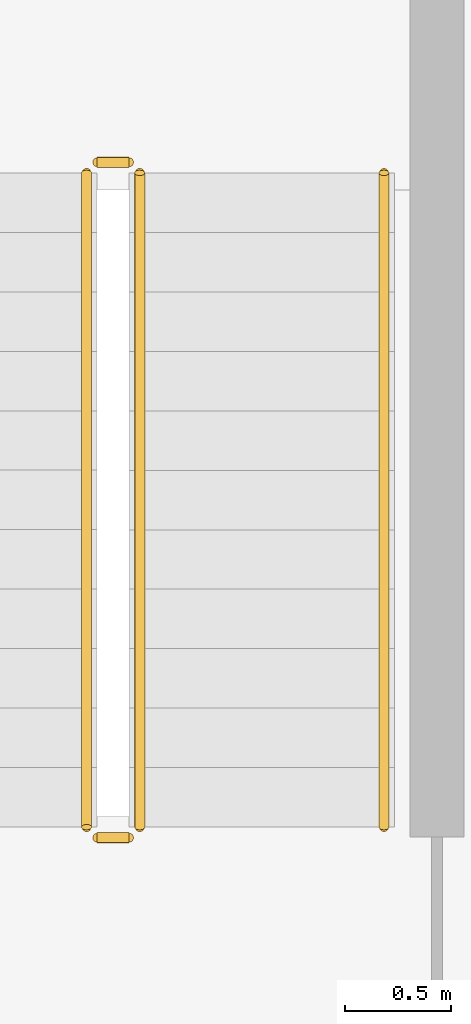
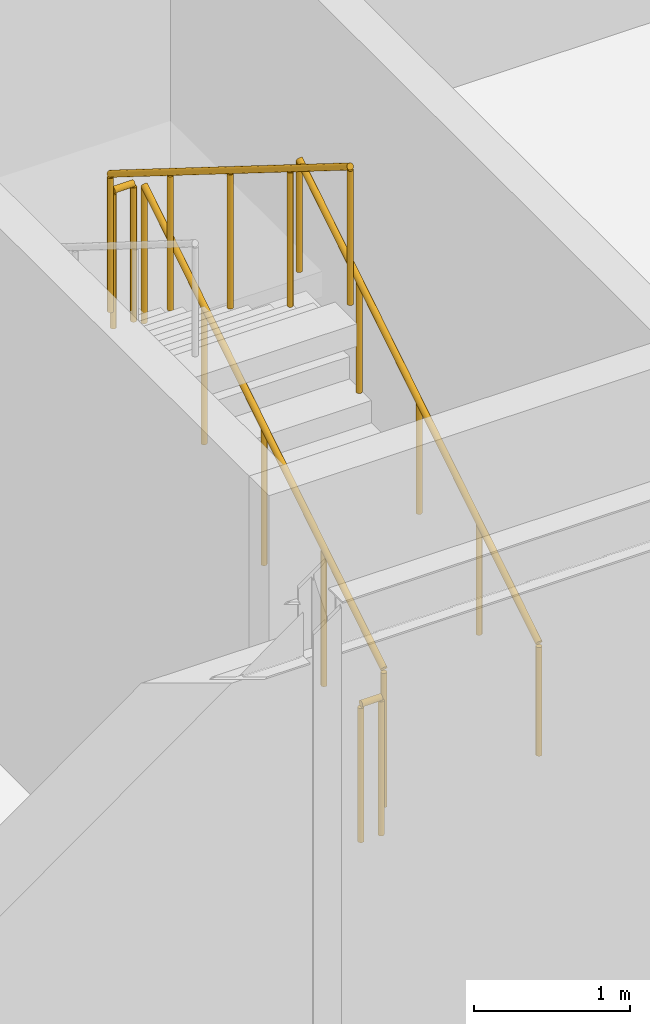
# One storey, part 77 of 85: 5 railings.
"""IFC4 building model written with IfcOpenShell, lengths in metres."""

import ifcopenshell
import ifcopenshell.guid

model = None  # the IFC model being written
_history = None  # IfcOwnerHistory: only IFC2X3 demands one
_inside = {}  # id of a spatial element -> (the spatial element, [elements in it])
_under = {}  # id of a project, library or spatial element -> (it, [spatial elements below it])
_declared = {}  # id of a project -> (the project, [libraries it declares])
_typed = {}  # id of a type object -> (the type object, [elements of that type])
_made_of = {}  # id of a material, layer set ... -> (it, [elements and type objects made of it])


def new_model(schema):
    """Start an empty IFC model of exactly this schema.

    Asked for "IFC4X3", IfcOpenShell would pick the latest addendum, in which some entities
    have other attributes; the version numbers below select the first issue.
    IFC2X3 requires an IfcOwnerHistory on every rooted entity: one is made here for all.
    """
    global model, _history
    if schema == "IFC4X3":
        model = ifcopenshell.file(schema_version=(4, 3, 0, 0))
    else:
        model = ifcopenshell.file(schema=schema)
    _inside.clear()
    _under.clear()
    _declared.clear()
    _typed.clear()
    _made_of.clear()
    _history = None
    if model.schema == "IFC2X3":
        org = make("IfcOrganization", Name="unknown")
        user = make(
            "IfcPersonAndOrganization",
            ThePerson=make("IfcPerson", FamilyName="unknown"),
            TheOrganization=org,
        )
        app = make(
            "IfcApplication",
            ApplicationDeveloper=org,
            Version="unknown",
            ApplicationFullName="unknown",
            ApplicationIdentifier="unknown",
        )
        _history = make(
            "IfcOwnerHistory",
            OwningUser=user,
            OwningApplication=app,
            ChangeAction="ADDED",
            CreationDate=0,
        )
    return model


def make(cls, **values):
    """One entity of the class cls with the attributes given. An attribute that is None is left unset."""
    return model.create_entity(
        cls, **{name: value for name, value in values.items() if value is not None}
    )


def rooted(cls, **values):
    """An entity with a GlobalId (a new one), such as an element, a storey or a relation."""
    return make(cls, GlobalId=ifcopenshell.guid.new(), OwnerHistory=_history, **values)


def si_unit(unit_type, name, prefix=None):
    """IfcSIUnit, for example si_unit("LENGTHUNIT", "METRE", prefix="MILLI")."""
    return make("IfcSIUnit", UnitType=unit_type, Prefix=prefix, Name=name)


def assignment(units):
    """IfcUnitAssignment: the units of a project."""
    return None if units is None else make("IfcUnitAssignment", Units=units)


def point(xyz):
    """IfcCartesianPoint."""
    return None if xyz is None else make("IfcCartesianPoint", Coordinates=xyz)


def direction(xyz):
    """IfcDirection."""
    return None if xyz is None else make("IfcDirection", DirectionRatios=xyz)


def frame(location, z_axis=None, x_axis=None):
    """IfcAxis2Placement3D, a coordinate frame: its origin and axes. An axis left out is left unset."""
    return make(
        "IfcAxis2Placement3D",
        Location=point(location),
        Axis=direction(z_axis),
        RefDirection=direction(x_axis),
    )


def frame_2d(location, x_axis=None):
    """IfcAxis2Placement2D, a coordinate frame in the plane: its origin and x axis."""
    return make(
        "IfcAxis2Placement2D", Location=point(location), RefDirection=direction(x_axis)
    )


def origin():
    """The frame at (0, 0, 0) with its axes left unset."""
    return frame((0.0, 0.0, 0.0))


def origin_2d():
    """The frame at (0, 0) in the plane with its x axis left unset."""
    return frame_2d((0.0, 0.0))


def place(relative_to, where):
    """IfcLocalPlacement: puts the frame where relative to a parent placement (None: the world)."""
    return make(
        "IfcLocalPlacement", PlacementRelTo=relative_to, RelativePlacement=where
    )


def context(
    kind, dimensions, precision=None, world=None, true_north=None, identifier=None
):
    """IfcGeometricRepresentationContext, for example the 3D "Model" context."""
    return make(
        "IfcGeometricRepresentationContext",
        ContextIdentifier=identifier,
        ContextType=kind,
        CoordinateSpaceDimension=dimensions,
        Precision=precision,
        WorldCoordinateSystem=world,
        TrueNorth=true_north,
    )


def subcontext(parent, identifier, kind, view, scale=None):
    """IfcGeometricRepresentationSubContext, for example "Body" below "Model"."""
    return make(
        "IfcGeometricRepresentationSubContext",
        ContextIdentifier=identifier,
        ContextType=kind,
        ParentContext=parent,
        TargetScale=scale,
        TargetView=view,
    )


def project(units=None, contexts=None):
    """IfcProject with its units and contexts."""
    return rooted(
        "IfcProject",
        Name="project",
        RepresentationContexts=contexts,
        UnitsInContext=assignment(units),
    )


def spatial(cls, under=None, at=None, **own):
    """A site, building, storey or space (cls), placed at a placement, below another one or the project."""
    s = rooted(cls, ObjectPlacement=at, **own)
    if under is not None:
        _under.setdefault(under.id(), (under, []))[1].append(s)
    return s


def profile(cls, at=None, kind="AREA", **sizes):
    """A parametric profile (cls). Its sizes go by their IFC names, for example OverallWidth=200.0."""
    return make(cls, ProfileType=kind, Position=at, **sizes)


def circle(**sizes):
    """IfcCircleProfileDef."""
    return profile("IfcCircleProfileDef", **sizes)


def extrude(swept, where, along, depth):
    """IfcExtrudedAreaSolid: the profile swept, set in the frame where, extruded along a direction by depth."""
    return make(
        "IfcExtrudedAreaSolid",
        SweptArea=swept,
        Position=where,
        ExtrudedDirection=direction(along),
        Depth=depth,
    )


def shape(context_of_items, identifier, shape_type, items):
    """IfcShapeRepresentation: the items that make up one representation, for example the "Body"."""
    return make(
        "IfcShapeRepresentation",
        ContextOfItems=context_of_items,
        RepresentationIdentifier=identifier,
        RepresentationType=shape_type,
        Items=items,
    )


def material(Name=None, Category=None):
    """IfcMaterial."""
    return make("IfcMaterial", Name=Name, Category=Category)


def made_of(thing, what):
    """Note that an element or type object is made of a material, layer set ...; save() writes the relation."""
    if what is not None:
        _made_of.setdefault(what.id(), (what, []))[1].append(thing)
    return thing


def type_object(cls, material=None, **own):
    """A type object (cls), such as IfcWallType, which elements share."""
    return made_of(rooted(cls, **own), material)


def element(
    cls,
    number,
    at=None,
    inside=None,
    cuts=None,
    type_object=None,
    material=None,
    context=None,
    identifier="Body",
    shape_type=None,
    held_by="IfcProductDefinitionShape",
    body=None,
    shapes=None,
    **own,
):
    """One element of the class cls, such as IfcWall. Its Tag is "e" and its number.

    at: its placement. inside: the storey or other place that contains it. cuts: it is an
    opening in that element (IfcRelVoidsElement). A single representation is given by context,
    identifier, shape_type and body (its items); several are given by shapes. held_by: the class
    of the entity that holds the representations. save() writes the other relations.
    """
    e = rooted(cls, Tag="e%d" % number, ObjectPlacement=at, **own)
    if body is not None:
        shapes = [shape(context, identifier, shape_type, body)]
    if shapes is not None:
        e.Representation = make(held_by, Representations=shapes)
    if inside is not None:
        _inside.setdefault(inside.id(), (inside, []))[1].append(e)
    if cuts is not None:
        rooted(
            "IfcRelVoidsElement", RelatingBuildingElement=cuts, RelatedOpeningElement=e
        )
    if type_object is not None:
        _typed.setdefault(type_object.id(), (type_object, []))[1].append(e)
    return made_of(e, material)


def aggregate(whole, parts):
    """IfcRelAggregates: a whole, such as a stair, and the parts it consists of."""
    return rooted("IfcRelAggregates", RelatingObject=whole, RelatedObjects=parts)


def save(model, path):
    """Write the relations noted so far, then the file.

    IfcRelAggregates (storeys below a building ...), IfcRelContainedInSpatialStructure (elements
    in a storey), IfcRelDefinesByType, IfcRelAssociatesMaterial and IfcRelDeclares: one each for
    every whole, place, type object, material and project.
    """
    for whole, parts in _under.values():
        aggregate(whole, parts)
    for where, things in _inside.values():
        rooted(
            "IfcRelContainedInSpatialStructure",
            RelatedElements=things,
            RelatingStructure=where,
        )
    for kind, things in _typed.values():
        rooted("IfcRelDefinesByType", RelatedObjects=things, RelatingType=kind)
    for what, things in _made_of.values():
        rooted("IfcRelAssociatesMaterial", RelatedObjects=things, RelatingMaterial=what)
    for by, libraries in _declared.values():
        rooted("IfcRelDeclares", RelatingContext=by, RelatedDefinitions=libraries)
    model.write(path)


model = new_model("IFC4")

# Units and contexts
model_context = context("Model", 3, precision=1e-05, world=origin(), true_north=direction((0.0, 1.0)))
body_context = subcontext(model_context, "Body", "Model", "MODEL_VIEW")
ifc_project = project(units=[si_unit("LENGTHUNIT", "METRE"), si_unit("AREAUNIT", "SQUARE_METRE"), si_unit("VOLUMEUNIT", "CUBIC_METRE"), si_unit("PLANEANGLEUNIT", "RADIAN"), si_unit("MASSUNIT", "GRAM", prefix="KILO")], contexts=[model_context])

# Site, building, storey
site_placement = place(None, origin())
site = spatial("IfcSite", under=ifc_project, at=site_placement, CompositionType="ELEMENT")
building_placement = place(site_placement, origin())
building = spatial("IfcBuilding", under=site, at=building_placement, Name="Ochrevale Crest", CompositionType="ELEMENT")
storey_placement = place(building_placement, frame((0.0, 0.0, 4.5)))
storey = spatial("IfcBuildingStorey", under=building, at=storey_placement, Name="L01", CompositionType="ELEMENT", Elevation=4.5)

# Railings
ifc_material_1 = material(Name="Galvanised steel", Category="steel")
railing_type_1 = type_object("IfcRailingType", Name="RL-ST-GUARD", PredefinedType="BALUSTRADE", material=ifc_material_1)
railing_1_placement = place(storey_placement, frame((81.050048828125, 81.574951171875, 0.175048828125)))
element("IfcRailing", 1, at=railing_1_placement, inside=storey, type_object=railing_type_1, Name="L01 ST-N1 stair guard 1", PredefinedType="BALUSTRADE", context=body_context, shape_type="SweptSolid", body=[
    extrude(circle(Radius=0.02392578125, at=origin_2d()), frame((0.0, 0.0, 1.076171875), z_axis=(0.0, 0.847998304005, 0.529998940003), x_axis=(-1.0, 0.0, 0.0)), (0.0, 0.0, 1.0), 3.632080078125),
    extrude(circle(Radius=0.02099609375, at=origin_2d()), origin(), (0.0, 0.0, 1.0), 1.052001953125),
    extrude(circle(Radius=0.02099609375, at=origin_2d()), frame((0.0, 0.77001953125, 0.481201171875)), (0.0, 0.0, 1.0), 1.052001953125),
    extrude(circle(Radius=0.02099609375, at=origin_2d()), frame((0.0, 1.5400390625, 0.96240234375)), (0.0, 0.0, 1.0), 1.052001953125),
    extrude(circle(Radius=0.02099609375, at=origin_2d()), frame((0.0, 2.31005859375, 1.44384765625)), (0.0, 0.0, 1.0), 1.052001953125),
    extrude(circle(Radius=0.02099609375, at=origin_2d()), frame((0.0, 3.080078125, 1.925048828125)), (0.0, 0.0, 1.0), 1.052001953125),
])
railing_2_placement = place(storey_placement, frame((81.0, 84.705078125, 2.10009765625)))
element("IfcRailing", 2, at=railing_2_placement, inside=storey, type_object=railing_type_1, Name="L01 ST-N1 stair guard 2", PredefinedType="BALUSTRADE", context=body_context, shape_type="SweptSolid", body=[
    extrude(circle(Radius=0.02392578125, at=origin_2d()), frame((0.0, 0.0, 1.076171875), z_axis=(-1.0, 0.0, 0.0), x_axis=(0.0, -1.0, 0.0)), (0.0, 0.0, 1.0), 0.14990234375),
    extrude(circle(Radius=0.02099609375, at=origin_2d()), origin(), (0.0, 0.0, 1.0), 1.052001953125),
    extrude(circle(Radius=0.02099609375, at=origin_2d()), frame((-0.14990234375, 0.0, 0.0)), (0.0, 0.0, 1.0), 1.052001953125),
])
railing_3_placement = place(storey_placement, frame((80.800048828125, 84.655029296875, 2.27490234375)))
element("IfcRailing", 3, at=railing_3_placement, inside=storey, type_object=railing_type_1, Name="L01 ST-N1 stair guard 3", PredefinedType="BALUSTRADE", context=body_context, shape_type="SweptSolid", body=[
    extrude(circle(Radius=0.02392578125, at=origin_2d()), frame((0.0, 0.0, 1.076171875), z_axis=(0.0, -0.847998304005, 0.529998940003), x_axis=(1.0, 0.0, 0.0)), (0.0, 0.0, 1.0), 3.632080078125),
    extrude(circle(Radius=0.02099609375, at=origin_2d()), origin(), (0.0, 0.0, 1.0), 1.052001953125),
    extrude(circle(Radius=0.02099609375, at=origin_2d()), frame((0.0, -0.77001953125, 0.481201171875)), (0.0, 0.0, 1.0), 1.052001953125),
    extrude(circle(Radius=0.02099609375, at=origin_2d()), frame((0.0, -1.5400390625, 0.96240234375)), (0.0, 0.0, 1.0), 1.052001953125),
    extrude(circle(Radius=0.02099609375, at=origin_2d()), frame((0.0, -2.31005859375, 1.44384765625)), (0.0, 0.0, 1.0), 1.052001953125),
    extrude(circle(Radius=0.02099609375, at=origin_2d()), frame((0.0, -3.080078125, 1.925048828125)), (0.0, 0.0, 1.0), 1.052001953125),
])
railing_4_placement = place(storey_placement, frame((81.0, 81.52490234375, 0.0)))
element("IfcRailing", 4, at=railing_4_placement, inside=storey, type_object=railing_type_1, Name="L01 ST-N1 stair guard 4", PredefinedType="BALUSTRADE", context=body_context, shape_type="SweptSolid", body=[
    extrude(circle(Radius=0.02392578125, at=origin_2d()), frame((0.0, 0.0, 1.076171875), z_axis=(-1.0, 0.0, 0.0), x_axis=(0.0, -1.0, 0.0)), (0.0, 0.0, 1.0), 0.14990234375),
    extrude(circle(Radius=0.02099609375, at=origin_2d()), origin(), (0.0, 0.0, 1.0), 1.052001953125),
    extrude(circle(Radius=0.02099609375, at=origin_2d()), frame((-0.14990234375, 0.0, 0.0)), (0.0, 0.0, 1.0), 1.052001953125),
])
ifc_material_2 = material(Name="Stainless steel", Category="steel")
railing_type_2 = type_object("IfcRailingType", Name="RL-ST-HRAIL", PredefinedType="HANDRAIL", material=ifc_material_2)
railing_5_placement = place(storey_placement, frame((82.199951171875, 81.574951171875, 0.175048828125)))
element("IfcRailing", 5, at=railing_5_placement, inside=storey, type_object=railing_type_2, Name="L01 ST-N1 stair handrail 1", PredefinedType="HANDRAIL", context=body_context, shape_type="SweptSolid", body=[
    extrude(circle(Radius=0.02392578125, at=origin_2d()), frame((0.0, 0.0, 0.8759765625), z_axis=(0.0, 0.847998304005, 0.529998940003), x_axis=(-1.0, 0.0, 0.0)), (0.0, 0.0, 1.0), 3.632080078125),
    extrude(circle(Radius=0.02099609375, at=origin_2d()), origin(), (0.0, 0.0, 1.0), 0.851806640625),
    extrude(circle(Radius=0.02099609375, at=origin_2d()), frame((0.0, 0.77001953125, 0.481201171875)), (0.0, 0.0, 1.0), 0.851806640625),
    extrude(circle(Radius=0.02099609375, at=origin_2d()), frame((0.0, 1.5400390625, 0.96240234375)), (0.0, 0.0, 1.0), 0.851806640625),
    extrude(circle(Radius=0.02099609375, at=origin_2d()), frame((0.0, 2.31005859375, 1.44384765625)), (0.0, 0.0, 1.0), 0.851806640625),
    extrude(circle(Radius=0.02099609375, at=origin_2d()), frame((0.0, 3.080078125, 1.925048828125)), (0.0, 0.0, 1.0), 0.851806640625),
])

save(model, "model.ifc")
